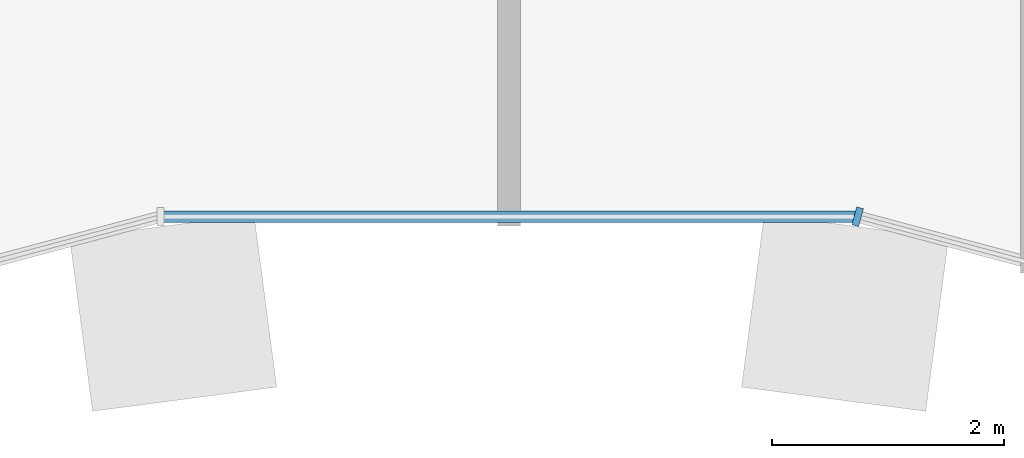
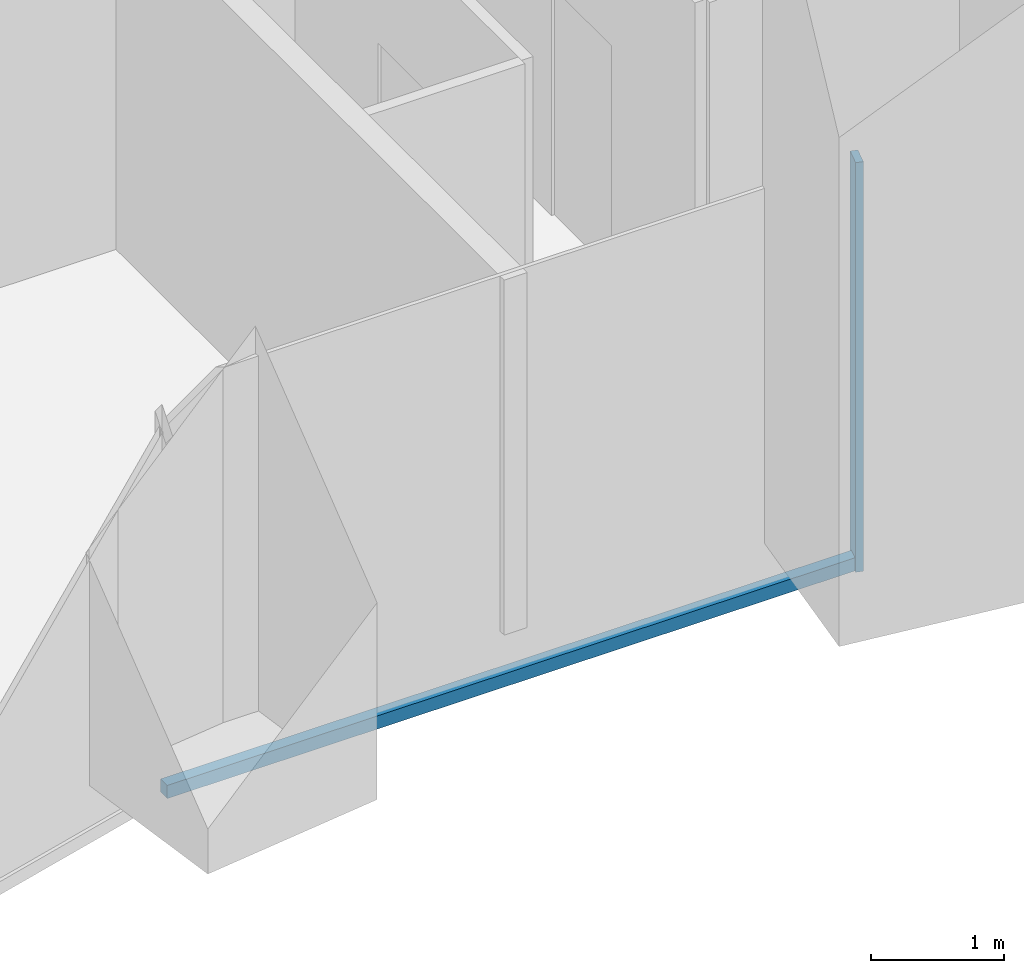
# One storey, part 3 of 18: 2 members, 2 elements without a shape of their own.
"""IFC4 building model written with IfcOpenShell, lengths in metres."""

from ifc_helpers import new_model, si_unit, direction, frame, origin, origin_2d, place, context, subcontext, project, spatial, rectangle, extrude, material, layer, layer_set, material_profile, profile_set, type_object, element, aggregate, save


model = new_model("IFC4")

# Units and contexts
model_context = context("Model", 3, precision=1e-05, world=origin(), true_north=direction((0.0, 1.0)))
body_context = subcontext(model_context, "Body", "Model", "MODEL_VIEW")
ifc_project = project(units=[si_unit("LENGTHUNIT", "METRE"), si_unit("AREAUNIT", "SQUARE_METRE"), si_unit("VOLUMEUNIT", "CUBIC_METRE"), si_unit("PLANEANGLEUNIT", "RADIAN"), si_unit("MASSUNIT", "GRAM", prefix="KILO")], contexts=[model_context])

# Site, building, storey
site_placement = place(None, origin())
site = spatial("IfcSite", under=ifc_project, at=site_placement, CompositionType="ELEMENT")
building_placement = place(site_placement, origin())
building = spatial("IfcBuilding", under=site, at=building_placement, Name="Plateau Cross Towers", CompositionType="ELEMENT")
storey_placement = place(building_placement, frame((0.0, 0.0, 139.39990234375)))
storey = spatial("IfcBuildingStorey", under=building, at=storey_placement, Name="L35", CompositionType="ELEMENT", Elevation=139.39990234375)

# Curtain wall, member
ifc_material_1 = material(Name="Dark low-iron glass", Category="glass")
ifc_layer = layer(ifc_material_1, 0.260009765625)
ifc_layer_set = layer_set([ifc_layer], Name="Dark low-iron glass")
curtain_wall_type = type_object("IfcCurtainWallType", Name="Curtain wall fluted unitised CW-A", PredefinedType="NOTDEFINED", material=ifc_layer_set)
curtain_wall_1_placement = place(storey_placement, origin())
curtain_wall_1 = element("IfcCurtainWall", 1, at=curtain_wall_1_placement, inside=storey, type_object=curtain_wall_type, Name="ENV/A/L35/A300_16", PredefinedType="NOTDEFINED")
ifc_material_2 = material(Name="Black anodised aluminium", Category="aluminium")
ifc_material_profile_1 = material_profile(ifc_material_2, rectangle(XDim=0.06005859375, YDim=0.159912109375, at=origin_2d()), Name="MULLION 60x160")
ifc_profile_set_1 = profile_set([ifc_material_profile_1], Name="Black anodised aluminium")
member_type_1 = type_object("IfcMemberType", Name="Mullion 60x160 fluted unitised", PredefinedType="MULLION", material=ifc_profile_set_1)
member_1_placement = place(storey_placement, frame((30.0, 1.60693359375, -0.5), z_axis=(0.0, 0.0, 1.0), x_axis=(0.965957983404, -0.258699003279, 0.0)))
member_1 = element("IfcMember", 2, at=member_1_placement, type_object=member_type_1, Name="CW-A mullion 1", PredefinedType="MULLION", context=body_context, shape_type="SweptSolid", body=[
    extrude(rectangle(XDim=0.06005859375, YDim=0.159912109375, at=origin_2d()), origin(), (0.0, 0.0, 1.0), 3.75),
])
aggregate(curtain_wall_1, [member_1])

curtain_wall_2_placement = place(storey_placement, origin())
curtain_wall_2 = element("IfcCurtainWall", 3, at=curtain_wall_2_placement, inside=storey, type_object=curtain_wall_type, Name="ENV/A/L35/A240_16", PredefinedType="NOTDEFINED")
ifc_material_profile_2 = material_profile(ifc_material_2, rectangle(XDim=0.10009765625, YDim=0.1201171875, at=origin_2d()), Name="TRANSOM 100x120")
ifc_profile_set_2 = profile_set([ifc_material_profile_2], Name="Black anodised aluminium")
member_type_2 = type_object("IfcMemberType", Name="Transom 100x120 fluted unitised", PredefinedType="USERDEFINED", material=ifc_profile_set_2)
member_2_placement = place(storey_placement, frame((24.0, 1.60693359375, -0.43994140625), z_axis=(1.0, 0.0, 0.0), x_axis=(0.0, 1.0, 0.0)))
member_2 = element("IfcMember", 4, at=member_2_placement, type_object=member_type_2, Name="CW-A transom", ObjectType="TRANSOM", PredefinedType="USERDEFINED", context=body_context, shape_type="SweptSolid", body=[
    extrude(rectangle(XDim=0.10009765625, YDim=0.1201171875, at=origin_2d()), origin(), (0.0, 0.0, 1.0), 6.0),
])
aggregate(curtain_wall_2, [member_2])

save(model, "model.ifc")
